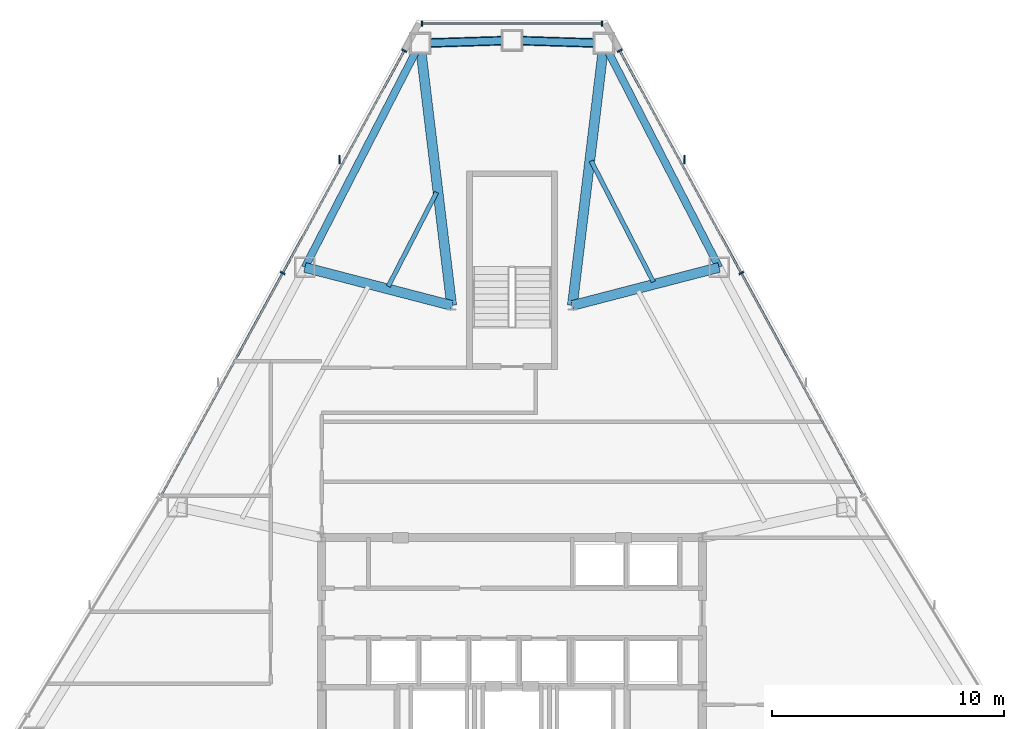
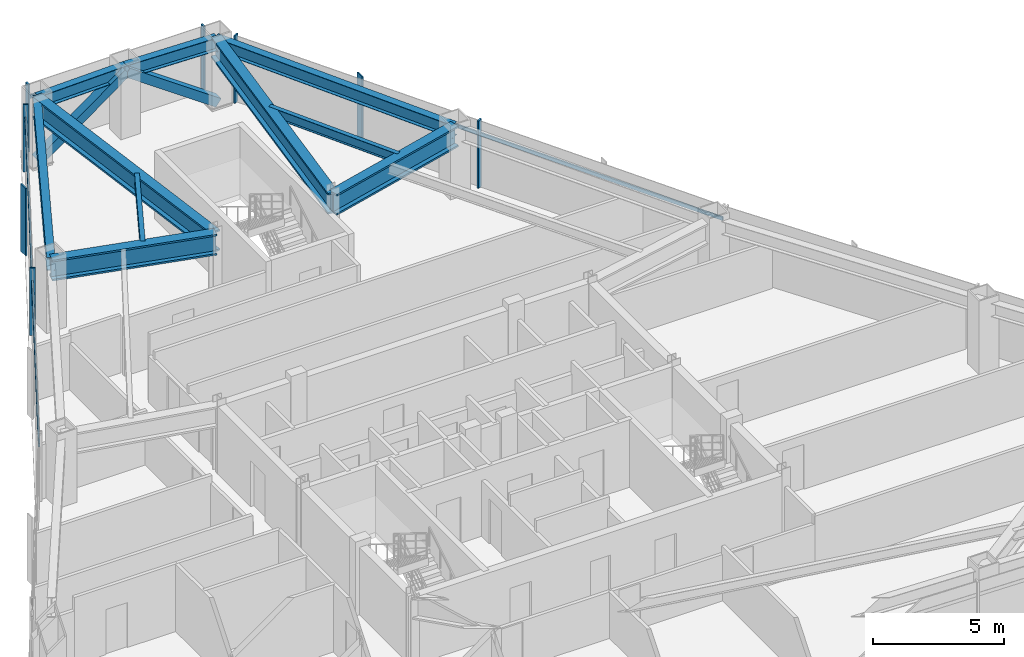
# One storey, part 7 of 12: 13 members, 10 beams, 3 elements without a shape of their own.
"""IFC4 building model written with IfcOpenShell, lengths in metres."""

from ifc_helpers import new_model, si_unit, direction, frame, origin, origin_2d, place, context, subcontext, project, spatial, rectangle, hollow_rectangle, i_section, extrude, source, transform, mapped, material, layer, layer_set, material_profile, profile_set, type_object, type_shapes, element, aggregate, save


model = new_model("IFC4")

# Units and contexts
model_context = context("Model", 3, precision=1e-05, world=origin(), true_north=direction((0.0, 1.0)))
body_context = subcontext(model_context, "Body", "Model", "MODEL_VIEW")
ifc_project = project(units=[si_unit("LENGTHUNIT", "METRE"), si_unit("AREAUNIT", "SQUARE_METRE"), si_unit("VOLUMEUNIT", "CUBIC_METRE"), si_unit("PLANEANGLEUNIT", "RADIAN"), si_unit("MASSUNIT", "GRAM", prefix="KILO")], contexts=[model_context])

# Site, building, storey
site_placement = place(None, origin())
site = spatial("IfcSite", under=ifc_project, at=site_placement, CompositionType="ELEMENT")
building_placement = place(site_placement, origin())
building = spatial("IfcBuilding", under=site, at=building_placement, Name="Varakhsha Concourse Tower", CompositionType="ELEMENT")
storey_placement = place(building_placement, frame((0.0, 0.0, 153.949951171875)))
storey = spatial("IfcBuildingStorey", under=building, at=storey_placement, Name="L44", CompositionType="ELEMENT", Elevation=153.949951171875)

# Beams
ifc_material_1 = material(Name="Structural Steel ASTM A992 Grade 50", Category="steel")
ifc_material_profile_1 = material_profile(ifc_material_1, i_section(OverallWidth=0.19091796875, OverallDepth=0.45703125, WebThickness=0.009033203125, FlangeThickness=0.013916015625, at=origin_2d()), Name="W18X50")
ifc_profile_set_1 = profile_set([ifc_material_profile_1], Name="Structural Steel ASTM A992 Grade 50")
beam_type_1 = type_object("IfcBeamType", Name="BM-JST-W18X50", PredefinedType="JOIST", material=ifc_profile_set_1)
beam_1_placement = place(storey_placement, frame((36.75146484375, 46.072509765625, 2.921630859375), z_axis=(-0.457130088423, -0.88939984386, 0.0), x_axis=(0.88939984386, -0.457130088423, 0.0)))
element("IfcBeam", 1, at=beam_1_placement, inside=storey, type_object=beam_type_1, Name="BM-TJST-L44-03", PredefinedType="JOIST", context=body_context, shape_type="SweptSolid", body=[
    extrude(i_section(OverallWidth=0.19091796875, OverallDepth=0.45703125, WebThickness=0.009033203125, FlangeThickness=0.013916015625, at=origin_2d()), origin(), (0.0, 0.0, 1.0), 4.556640625),
])
beam_2_placement = place(storey_placement, frame((46.090087890625, 42.216796875, 2.921630859375), z_axis=(-0.457136164259, 0.889396721001, 0.0), x_axis=(-0.889396721001, -0.457136164259, 0.0)))
element("IfcBeam", 2, at=beam_2_placement, inside=storey, type_object=beam_type_1, Name="BM-TJST-L44-18", PredefinedType="JOIST", context=body_context, shape_type="SweptSolid", body=[
    extrude(i_section(OverallWidth=0.19091796875, OverallDepth=0.45703125, WebThickness=0.009033203125, FlangeThickness=0.013916015625, at=origin_2d()), origin(), (0.0, 0.0, 1.0), 5.859130859375),
])
ifc_material_profile_2 = material_profile(ifc_material_1, i_section(OverallWidth=0.323974609375, OverallDepth=0.611083984375, WebThickness=0.012939453125, FlangeThickness=0.01904296875, at=origin_2d()), Name="W24X104")
ifc_profile_set_2 = profile_set([ifc_material_profile_2], Name="Structural Steel ASTM A992 Grade 50")
beam_type_2 = type_object("IfcBeamType", Name="BM-SPAN-W24X104", PredefinedType="SPANDREL", material=ifc_profile_set_2)
for number, where, z_axis, x_axis, name in (
    (3, (43.959716796875, 52.496337890625, 2.844482421875), (-0.999523254448, 0.030874970743, 0.0), (-0.030874970743, -0.999523254448, 0.0), "BM-SPAN-L44-01"),
    (4, (40.0, 52.61865234375, 2.844482421875), (-0.999523254448, -0.030874970743, 0.0), (0.030874970743, -0.999523254448, 0.0), "BM-SPAN-L44-02"),
):
    element("IfcBeam", number, at=place(storey_placement, frame(where, z_axis=z_axis, x_axis=x_axis)), inside=storey, type_object=beam_type_2, Name=name, PredefinedType="SPANDREL", context=body_context, shape_type="SweptSolid", body=[
        extrude(i_section(OverallWidth=0.323974609375, OverallDepth=0.611083984375, WebThickness=0.012939453125, FlangeThickness=0.01904296875, at=origin_2d()), origin(), (0.0, 0.0, 1.0), 3.961669921875),
    ])
for number, where, z_axis, x_axis, name in (
    (5, (36.040283203125, 52.496337890625, 2.844482421875), (-0.457108153747, -0.889411117413, 0.0), (0.889411117413, -0.457108153747, 0.0), "BM-SPAN-L44-03"),
    (6, (48.922119140625, 42.8408203125, 2.844482421875), (-0.457108153747, 0.889411117413, 0.0), (-0.889411117413, -0.457108153747, 0.0), "BM-SPAN-L44-18"),
):
    element("IfcBeam", number, at=place(storey_placement, frame(where, z_axis=z_axis, x_axis=x_axis)), inside=storey, type_object=beam_type_2, Name=name, PredefinedType="SPANDREL", context=body_context, shape_type="SweptSolid", body=[
        extrude(i_section(OverallWidth=0.323974609375, OverallDepth=0.611083984375, WebThickness=0.012939453125, FlangeThickness=0.01904296875, at=origin_2d()), origin(), (0.0, 0.0, 1.0), 10.856201171875),
    ])
ifc_material_profile_3 = material_profile(ifc_material_1, i_section(OverallWidth=0.427978515625, OverallDepth=0.97509765625, WebThickness=0.050048828125, FlangeThickness=0.0810546875, at=origin_2d()), Name="W36X395")
ifc_profile_set_3 = profile_set([ifc_material_profile_3], Name="Structural Steel ASTM A992 Grade 50")
beam_type_3 = type_object("IfcBeamType", Name="BM-XFER-W36X395", PredefinedType="USERDEFINED", material=ifc_profile_set_3)
for number, where, z_axis, x_axis, name in (
    (7, (42.60009765625, 41.199951171875, 2.66259765625), (0.119496349905, 0.992834639988, 0.0), (-0.992834639988, 0.119496349905, 0.0), "L44 Radial Floor Girder 01"),
    (8, (37.39990234375, 41.199951171875, 2.66259765625), (-0.119496349905, 0.992834639988, 0.0), (-0.992834639988, -0.119496349905, 0.0), "L44 Radial Floor Girder 03"),
):
    element("IfcBeam", number, at=place(storey_placement, frame(where, z_axis=z_axis, x_axis=x_axis)), inside=storey, type_object=beam_type_3, Name=name, ObjectType="GIRDER", PredefinedType="USERDEFINED", context=body_context, shape_type="SweptSolid", body=[
        extrude(i_section(OverallWidth=0.427978515625, OverallDepth=0.97509765625, WebThickness=0.050048828125, FlangeThickness=0.0810546875, at=origin_2d()), origin(), (0.0, 0.0, 1.0), 11.3779296875),
    ])
for number, where, z_axis, x_axis, name in (
    (9, (37.39990234375, 41.199951171875, 2.66259765625), (-0.967928927107, 0.251224186873, 0.0), (-0.251224186873, -0.967928927107, 0.0), "L44 Radial Floor Girder 04"),
    (10, (42.60009765625, 41.199951171875, 2.66259765625), (0.967928927107, 0.251224186873, 0.0), (-0.251224186873, 0.967928927107, 0.0), "L44 Radial Floor Girder 18"),
):
    element("IfcBeam", number, at=place(storey_placement, frame(where, z_axis=z_axis, x_axis=x_axis)), inside=storey, type_object=beam_type_3, Name=name, ObjectType="GIRDER", PredefinedType="USERDEFINED", context=body_context, shape_type="SweptSolid", body=[
        extrude(i_section(OverallWidth=0.427978515625, OverallDepth=0.97509765625, WebThickness=0.050048828125, FlangeThickness=0.0810546875, at=origin_2d()), origin(), (0.0, 0.0, 1.0), 6.531494140625),
    ])

# Members
ifc_material_2 = material(Name="Structural Steel ASTM A500 Grade C", Category="steel")
ifc_material_profile_4 = material_profile(ifc_material_2, hollow_rectangle(XDim=0.39990234375, YDim=0.39990234375, WallThickness=0.01611328125, at=origin_2d()), Name="HSS 400x400x16")
ifc_profile_set_4 = profile_set([ifc_material_profile_4], Name="Structural Steel ASTM A500 Grade C")
member_type_1 = type_object("IfcMemberType", Name="MB-TUBE-HSS400", PredefinedType="BRACE", material=ifc_profile_set_4)
shared_shape_1 = source(origin(), body_context, "Body", "SweptSolid", [
    extrude(hollow_rectangle(XDim=0.39990234375, YDim=0.39990234375, WallThickness=0.01611328125, at=origin_2d()), origin(), (0.0, 0.0, 1.0), 4.81103515625),
])
type_shapes(member_type_1, [shared_shape_1])
for number, where, z_axis, x_axis, name in (
    (11, (43.959716796875, 52.496337890625, 0.1201171875), (-0.823030113875, 0.025423151061, 0.567428493332), (-0.030874970743, -0.999523254448, 0.0), "L44 Wind-Corner Tube Brace B01"),
    (12, (36.040283203125, 52.496337890625, 0.1201171875), (0.823030113875, 0.025423151061, 0.567428493332), (-0.030874970743, 0.999523254448, 0.0), "L44 Wind-Corner Tube Brace B02"),
):
    element("IfcMember", number, at=place(storey_placement, frame(where, z_axis=z_axis, x_axis=x_axis)), inside=storey, type_object=member_type_1, Name=name, PredefinedType="BRACE", context=body_context, shape_type="MappedRepresentation", body=[
        mapped(shared_shape_1, transform((0.0, 0.0, 0.0), scale=1.0)),
    ])

# Curtain wall, member
ifc_material_3 = material(Name="Anodised Bronze Architectural Aluminium AA 6063-T6", Category="aluminium")
ifc_layer = layer(ifc_material_3, 0.2099609375, Name="CW-SYS-04")
ifc_layer_set = layer_set([ifc_layer], Name="Anodised Bronze Architectural Aluminium AA 6063-T6")
curtain_wall_type = type_object("IfcCurtainWallType", Name="CW-SYS-04", PredefinedType="NOTDEFINED", material=ifc_layer_set)
curtain_wall_1_placement = place(storey_placement, origin())
curtain_wall_1 = element("IfcCurtainWall", 13, at=curtain_wall_1_placement, inside=storey, type_object=curtain_wall_type, Name="L44 Crystal Curtain Wall F2", PredefinedType="NOTDEFINED")
ifc_material_profile_5 = material_profile(ifc_material_3, rectangle(XDim=0.06494140625, YDim=0.159912109375, at=origin_2d()), Name="CWT-160X65")
ifc_profile_set_5 = profile_set([ifc_material_profile_5], Name="Anodised Bronze Architectural Aluminium AA 6063-T6")
member_type_2 = type_object("IfcMemberType", Name="CWT-160X65", PredefinedType="USERDEFINED", material=ifc_profile_set_5)
shared_shape_2 = source(origin(), body_context, "Body", "SweptSolid", [
    extrude(rectangle(XDim=0.06494140625, YDim=0.159912109375, at=origin_2d()), origin(), (0.0, 0.0, 1.0), 21.82958984375),
])
member_1_placement = place(storey_placement, frame((24.889892578125, 33.0205078125, 2.5), z_axis=(0.479598713549, 0.877487933798, 0.0), x_axis=(-0.877487933798, 0.479598713549, 0.0)))
member_1 = element("IfcMember", 14, at=member_1_placement, type_object=member_type_2, Name="CW-L44-F2 Transom 01", ObjectType="TRANSOM", PredefinedType="USERDEFINED", context=body_context, shape_type="MappedRepresentation", body=[
    mapped(shared_shape_2, transform((0.0, 0.0, 0.0), scale=1.0)),
])

curtain_wall_2_placement = place(storey_placement, origin())
curtain_wall_2 = element("IfcCurtainWall", 15, at=curtain_wall_2_placement, inside=storey, type_object=curtain_wall_type, Name="L44 Crystal Curtain Wall F9", PredefinedType="NOTDEFINED")
member_2_placement = place(storey_placement, frame((44.640625, 52.17578125, 2.5), z_axis=(0.479598713549, -0.877487933798, 0.0), x_axis=(0.877487933798, 0.479598713549, 0.0)))
member_2 = element("IfcMember", 16, at=member_2_placement, type_object=member_type_2, Name="CW-L44-F9 Transom 01", ObjectType="TRANSOM", PredefinedType="USERDEFINED", context=body_context, shape_type="MappedRepresentation", body=[
    mapped(shared_shape_2, transform((0.0, 0.0, 0.0), scale=1.0)),
])

# Curtain wall, members
curtain_wall_3_placement = place(storey_placement, origin())
curtain_wall_3 = element("IfcCurtainWall", 17, at=curtain_wall_3_placement, inside=storey, type_object=curtain_wall_type, Name="L44 Chamfer Curtain Wall F1", PredefinedType="NOTDEFINED")
ifc_material_profile_6 = material_profile(ifc_material_3, rectangle(XDim=0.074951171875, YDim=0.219970703125, at=origin_2d()), Name="CWM-220X75")
ifc_profile_set_6 = profile_set([ifc_material_profile_6], Name="Anodised Bronze Architectural Aluminium AA 6063-T6")
member_type_3 = type_object("IfcMemberType", Name="CWM-220X75", PredefinedType="MULLION", material=ifc_profile_set_6)
shared_shape_3 = source(origin(), body_context, "Body", "SweptSolid", [
    extrude(rectangle(XDim=0.074951171875, YDim=0.219970703125, at=origin_2d()), origin(), (0.0, 0.0, 1.0), 3.150146484375),
])
type_shapes(member_type_3, [shared_shape_3])
member_3_placement = place(storey_placement, frame((36.1201171875, 53.338623046875, 0.0), z_axis=(0.0, 0.0, 1.0), x_axis=(1.0, 0.0, 0.0)))
member_3 = element("IfcMember", 18, at=member_3_placement, type_object=member_type_3, Name="CW-L44-F1 Mullion 00", PredefinedType="MULLION", context=body_context, shape_type="MappedRepresentation", body=[
    mapped(shared_shape_3, transform((0.0, 0.0, 0.0), scale=1.0)),
])
member_4_placement = place(storey_placement, frame((43.8798828125, 53.338623046875, 0.0), z_axis=(0.0, 0.0, 1.0), x_axis=(1.0, 0.0, 0.0)))
member_4 = element("IfcMember", 19, at=member_4_placement, type_object=member_type_3, Name="CW-L44-F1 Mullion 01", PredefinedType="MULLION", context=body_context, shape_type="MappedRepresentation", body=[
    mapped(shared_shape_3, transform((0.0, 0.0, 0.0), scale=1.0)),
])

# Member
member_5_placement = place(storey_placement, frame((30.124755859375, 42.59814453125, 0.0), z_axis=(0.0, 0.0, 1.0), x_axis=(0.479595701913, 0.877489579828, 0.0)))
member_5 = element("IfcMember", 20, at=member_5_placement, type_object=member_type_3, Name="CW-L44-F2 Mullion 01", PredefinedType="MULLION", context=body_context, shape_type="MappedRepresentation", body=[
    mapped(shared_shape_3, transform((0.0, 0.0, 0.0), scale=1.0)),
])

member_6_placement = place(storey_placement, frame((35.359375, 52.17578125, 0.0), z_axis=(0.0, 0.0, 1.0), x_axis=(0.479595701913, 0.877489579828, 0.0)))
member_6 = element("IfcMember", 21, at=member_6_placement, type_object=member_type_3, Name="CW-L44-F2 Mullion 02", PredefinedType="MULLION", context=body_context, shape_type="MappedRepresentation", body=[
    mapped(shared_shape_3, transform((0.0, 0.0, 0.0), scale=1.0)),
])

member_7_placement = place(storey_placement, frame((44.640625, 52.17578125, 0.0), z_axis=(0.0, 0.0, 1.0), x_axis=(0.479595701913, -0.877489579828, 0.0)))
member_7 = element("IfcMember", 22, at=member_7_placement, type_object=member_type_3, Name="CW-L44-F9 Mullion 00", PredefinedType="MULLION", context=body_context, shape_type="MappedRepresentation", body=[
    mapped(shared_shape_3, transform((0.0, 0.0, 0.0), scale=1.0)),
])

member_8_placement = place(storey_placement, frame((49.875244140625, 42.59814453125, 0.0), z_axis=(0.0, 0.0, 1.0), x_axis=(0.479595701913, -0.877489579828, 0.0)))
member_8 = element("IfcMember", 23, at=member_8_placement, type_object=member_type_3, Name="CW-L44-F9 Mullion 01", PredefinedType="MULLION", context=body_context, shape_type="MappedRepresentation", body=[
    mapped(shared_shape_3, transform((0.0, 0.0, 0.0), scale=1.0)),
])

shared_shape_4 = source(origin(), body_context, "Body", "SweptSolid", [
    extrude(rectangle(XDim=0.06494140625, YDim=0.159912109375, at=origin_2d()), origin(), (0.0, 0.0, 1.0), 7.759765625),
])
type_shapes(member_type_2, [shared_shape_2, shared_shape_4])
member_9_placement = place(storey_placement, frame((36.1201171875, 53.338623046875, 2.5), z_axis=(1.0, 0.0, 0.0), x_axis=(0.0, 1.0, 0.0)))
member_9 = element("IfcMember", 24, at=member_9_placement, type_object=member_type_2, Name="CW-L44-F1 Transom 01", ObjectType="TRANSOM", PredefinedType="USERDEFINED", context=body_context, shape_type="MappedRepresentation", body=[
    mapped(shared_shape_4, transform((0.0, 0.0, 0.0), scale=1.0)),
])

aggregate(curtain_wall_3, [member_3, member_4, member_9])

ifc_material_profile_7 = material_profile(ifc_material_3, rectangle(XDim=0.06005859375, YDim=0.3798828125, at=origin_2d()), Name="FIN-BRZ-380")
ifc_profile_set_7 = profile_set([ifc_material_profile_7], Name="Anodised Bronze Architectural Aluminium AA 6063-T6")
member_type_4 = type_object("IfcMemberType", Name="FIN-BRZ-380", PredefinedType="USERDEFINED", material=ifc_profile_set_7)
shared_shape_5 = source(origin(), body_context, "Body", "SweptSolid", [
    extrude(rectangle(XDim=0.06005859375, YDim=0.3798828125, at=origin_2d()), origin(), (0.0, 0.0, 1.0), 3.150146484375),
])
type_shapes(member_type_4, [shared_shape_5])
member_10_placement = place(storey_placement, frame((32.562255859375, 47.4853515625, 0.0), z_axis=(0.0, 0.0, 1.0), x_axis=(1.0, 0.0, 0.0)))
member_10 = element("IfcMember", 25, at=member_10_placement, type_object=member_type_4, Name="L44 Anodised Bronze Solar Fin F2-2", ObjectType="SOLAR FIN", PredefinedType="USERDEFINED", context=body_context, shape_type="MappedRepresentation", body=[
    mapped(shared_shape_5, transform((0.0, 0.0, 0.0), scale=1.0)),
])

aggregate(curtain_wall_1, [member_5, member_6, member_1, member_10])

member_11_placement = place(storey_placement, frame((47.437744140625, 47.4853515625, 0.0), z_axis=(0.0, 0.0, 1.0), x_axis=(1.0, 0.0, 0.0)))
member_11 = element("IfcMember", 26, at=member_11_placement, type_object=member_type_4, Name="L44 Anodised Bronze Solar Fin F9-1", ObjectType="SOLAR FIN", PredefinedType="USERDEFINED", context=body_context, shape_type="MappedRepresentation", body=[
    mapped(shared_shape_5, transform((0.0, 0.0, 0.0), scale=1.0)),
])

aggregate(curtain_wall_2, [member_7, member_8, member_2, member_11])

save(model, "model.ifc")
